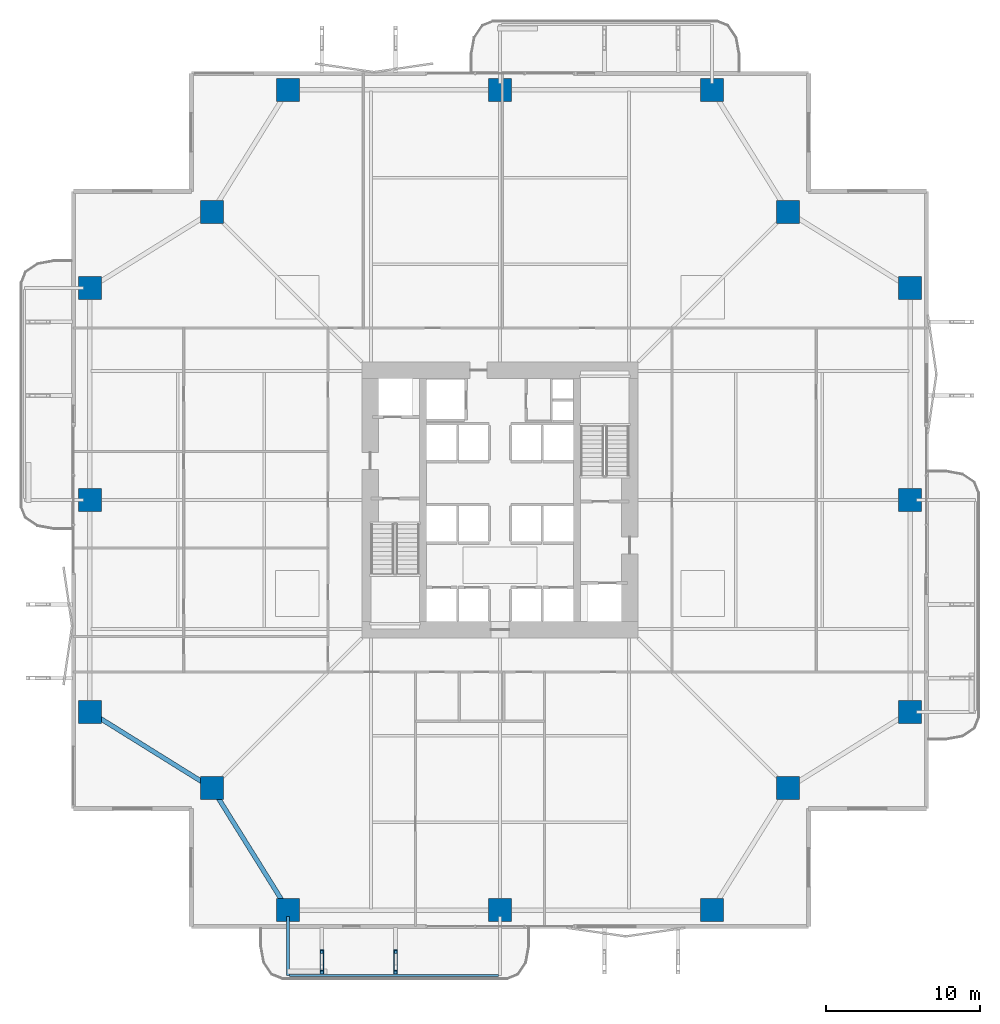
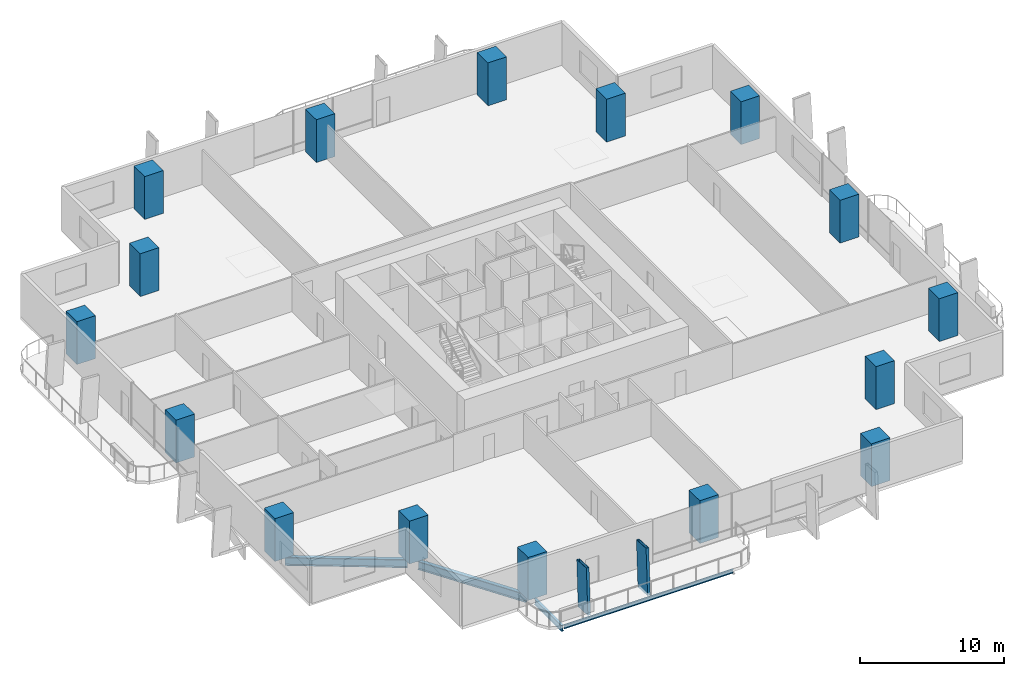
# One storey, part 1 of 23: 16 columns, 4 beams, 2 members.
"""IFC4 building model written with IfcOpenShell, lengths in metres."""

from ifc_helpers import new_model, si_unit, direction, frame, origin, origin_2d, place, context, subcontext, project, spatial, rectangle, hollow_rectangle, i_section, extrude, material, material_profile, profile_set, type_object, element, save


model = new_model("IFC4")

# Units and contexts
model_context = context("Model", 3, precision=1e-05, world=origin(), true_north=direction((0.0, 1.0)))
body_context = subcontext(model_context, "Body", "Model", "MODEL_VIEW")
ifc_project = project(units=[si_unit("LENGTHUNIT", "METRE"), si_unit("AREAUNIT", "SQUARE_METRE"), si_unit("VOLUMEUNIT", "CUBIC_METRE"), si_unit("PLANEANGLEUNIT", "RADIAN"), si_unit("MASSUNIT", "GRAM", prefix="KILO")], contexts=[model_context])

# Site, building, storey
site_placement = place(None, origin())
site = spatial("IfcSite", under=ifc_project, at=site_placement, CompositionType="ELEMENT")
building_placement = place(site_placement, origin())
building = spatial("IfcBuilding", under=site, at=building_placement, Name="Belovzor Exchange Tower", CompositionType="ELEMENT")
storey_placement = place(building_placement, frame((0.0, 0.0, 53.39990234375)))
storey = spatial("IfcBuildingStorey", under=building, at=storey_placement, Name="L12", CompositionType="ELEMENT", Elevation=53.39990234375)

# Columns
ifc_material_1 = material(Name="Concrete C60/75", Category="concrete")
ifc_material_profile_1 = material_profile(ifc_material_1, rectangle(XDim=1.5, YDim=1.5, at=origin_2d()))
ifc_profile_set_1 = profile_set([ifc_material_profile_1], Name="Concrete C60/75")
column_type = type_object("IfcColumnType", Name="Reinforced Concrete Tower Column 1500x1500", PredefinedType="COLUMN", material=ifc_profile_set_1)
for number, where, z_axis, x_axis, name in (
    (1, (15.0, 2.10009765625, 0.003173828125), (0.0, 0.0, 1.0), (1.0, 0.0, 0.0), "COL-T150 Reinforced Concrete Tower Column 1500x1500"),
    (2, (28.800048828125, 2.10009765625, 0.003173828125), (0.0, 0.0, 1.0), (1.0, 0.0, 0.0), "COL-T150 Reinforced Concrete Tower Column 1500x1500"),
    (3, (42.60009765625, 2.10009765625, 0.003173828125), (0.0, 0.0, 1.0), (1.0, 0.0, 0.0), "COL-T150 Reinforced Concrete Tower Column 1500x1500"),
    (4, (55.5, 15.0, 0.003173828125), (0.0, 0.0, 1.0), (1.0, 0.0, 0.0), "COL-T150 Reinforced Concrete Tower Column 1500x1500"),
    (5, (55.5, 28.800048828125, 0.003173828125), (0.0, 0.0, 1.0), (1.0, 0.0, 0.0), "COL-T150 Reinforced Concrete Tower Column 1500x1500"),
    (6, (55.5, 42.60009765625, 0.003173828125), (0.0, 0.0, 1.0), (1.0, 0.0, 0.0), "COL-T150 Reinforced Concrete Tower Column 1500x1500"),
    (7, (42.60009765625, 55.5, 0.003173828125), (0.0, 0.0, 1.0), (1.0, 0.0, 0.0), "COL-T150 Reinforced Concrete Tower Column 1500x1500"),
    (8, (28.800048828125, 55.5, 0.003173828125), (0.0, 0.0, 1.0), (1.0, 0.0, 0.0), "COL-T150 Reinforced Concrete Tower Column 1500x1500"),
    (9, (15.0, 55.5, 0.003173828125), (0.0, 0.0, 1.0), (1.0, 0.0, 0.0), "COL-T150 Reinforced Concrete Tower Column 1500x1500"),
    (10, (2.10009765625, 42.60009765625, 0.003173828125), (0.0, 0.0, 1.0), (1.0, 0.0, 0.0), "COL-T150 Reinforced Concrete Tower Column 1500x1500"),
    (11, (2.10009765625, 28.800048828125, 0.003173828125), (0.0, 0.0, 1.0), (1.0, 0.0, 0.0), "COL-T150 Reinforced Concrete Tower Column 1500x1500"),
    (12, (2.10009765625, 15.0, 0.003173828125), (0.0, 0.0, 1.0), (1.0, 0.0, 0.0), "COL-T150 Reinforced Concrete Tower Column 1500x1500"),
    (13, (10.050048828125, 10.050048828125, 0.003173828125), (0.0, 0.0, 1.0), (1.0, 0.0, 0.0), "COL-T150 Reinforced Concrete Tower Column 1500x1500"),
    (14, (47.550048828125, 10.050048828125, 0.003173828125), (0.0, 0.0, 1.0), (1.0, 0.0, 0.0), "COL-T150 Reinforced Concrete Tower Column 1500x1500"),
    (15, (47.550048828125, 47.550048828125, 0.003173828125), (0.0, 0.0, 1.0), (1.0, 0.0, 0.0), "COL-T150 Reinforced Concrete Tower Column 1500x1500"),
    (16, (10.050048828125, 47.550048828125, 0.003173828125), (0.0, 0.0, 1.0), (1.0, 0.0, 0.0), "COL-T150 Reinforced Concrete Tower Column 1500x1500"),
):
    element("IfcColumn", number, at=place(storey_placement, frame(where, z_axis=z_axis, x_axis=x_axis)), inside=storey, type_object=column_type, Name=name, PredefinedType="COLUMN", context=body_context, shape_type="SweptSolid", body=[
        extrude(rectangle(XDim=1.5, YDim=1.5, at=origin_2d()), origin(), (0.0, 0.0, 1.0), 3.64404296875),
    ])

# Members
ifc_material_2 = material(Name="Extruded Architectural Terracotta on Steel S355 Carrier", Category="masonry")
ifc_material_profile_2 = material_profile(ifc_material_2, hollow_rectangle(XDim=0.219970703125, YDim=1.35009765625, WallThickness=0.013916015625, at=origin_2d()))
ifc_profile_set_2 = profile_set([ifc_material_profile_2], Name="Extruded Architectural Terracotta on Steel S355 Carrier")
member_type = type_object("IfcMemberType", Name="Base Arc Sweeping Terracotta Pylon Fin 1450", PredefinedType="USERDEFINED", material=ifc_profile_set_2)
for number, where, z_axis, x_axis, name in (
    (17, (17.199951171875, -1.37890625, -0.25), (0.0, 0.055251933744, 0.998472445197), (-1.0, 0.0, 0.0), "FIN-TC145 Terracotta Facade Fin L12 S1"),
    (18, (22.0, -1.37890625, -0.25), (0.0, 0.055251933744, 0.998472445197), (-1.0, 0.0, 0.0), "FIN-TC145 Terracotta Facade Fin L12 S2"),
):
    element("IfcMember", number, at=place(storey_placement, frame(where, z_axis=z_axis, x_axis=x_axis)), inside=storey, type_object=member_type, Name=name, ObjectType="FIN", PredefinedType="USERDEFINED", context=body_context, shape_type="SweptSolid", body=[
        extrude(hollow_rectangle(XDim=0.219970703125, YDim=1.35009765625, WallThickness=0.013916015625, at=origin_2d()), origin(), (0.0, 0.0, 1.0), 3.906005859375),
    ])

# Beams
ifc_material_3 = material(Name="Steel S355", Category="steel")
ifc_material_profile_3 = material_profile(ifc_material_3, i_section(OverallWidth=0.199951171875, OverallDepth=0.5, WebThickness=0.01025390625, FlangeThickness=0.01611328125, at=origin_2d()))
ifc_profile_set_3 = profile_set([ifc_material_profile_3], Name="Steel S355")
beam_type_1 = type_object("IfcBeamType", Name="Planted Balcony Cantilever Beam IPE 500", PredefinedType="BEAM", material=ifc_profile_set_3)
beam_1_placement = place(storey_placement, frame((15.0, 1.68798828125, -0.5), z_axis=(0.0, -1.0, 0.0), x_axis=(1.0, 0.0, 0.0)))
element("IfcBeam", 19, at=beam_1_placement, inside=storey, type_object=beam_type_1, Name="BC-500 Planted Balcony Cantilever Beam IPE 500", PredefinedType="BEAM", context=body_context, shape_type="SweptSolid", body=[
    extrude(i_section(OverallWidth=0.199951171875, OverallDepth=0.5, WebThickness=0.01025390625, FlangeThickness=0.01611328125, at=origin_2d()), origin(), (0.0, 0.0, 1.0), 3.85009765625),
])
ifc_material_4 = material(Name="Steel S355", Category="steel")
ifc_material_profile_4 = material_profile(ifc_material_4, i_section(OverallWidth=0.14990234375, OverallDepth=0.300048828125, WebThickness=0.007080078125, FlangeThickness=0.0107421875, at=origin_2d()))
ifc_profile_set_4 = profile_set([ifc_material_profile_4], Name="Steel S355")
beam_type_2 = type_object("IfcBeamType", Name="Planted Balcony Fascia Edge Beam IPE 300", PredefinedType="BEAM", material=ifc_profile_set_4)
beam_2_placement = place(storey_placement, frame((15.10009765625, -2.162109375, -0.39990234375), z_axis=(1.0, 0.0, 0.0), x_axis=(0.0, 1.0, 0.0)))
element("IfcBeam", 20, at=beam_2_placement, inside=storey, type_object=beam_type_2, Name="BC-300 Planted Balcony Fascia Edge Beam IPE 300", PredefinedType="BEAM", context=body_context, shape_type="SweptSolid", body=[
    extrude(i_section(OverallWidth=0.14990234375, OverallDepth=0.300048828125, WebThickness=0.007080078125, FlangeThickness=0.0107421875, at=origin_2d()), origin(), (0.0, 0.0, 1.0), 13.599853515625),
])
ifc_material_5 = material(Name="Steel S355", Category="steel")
ifc_material_profile_5 = material_profile(ifc_material_5, i_section(OverallWidth=0.300048828125, OverallDepth=0.699951171875, WebThickness=0.01708984375, FlangeThickness=0.031982421875, at=origin_2d()))
ifc_profile_set_5 = profile_set([ifc_material_profile_5], Name="Steel S355")
beam_type_3 = type_object("IfcBeamType", Name="Zone 1 Primary Perimeter Girder HEB 700", PredefinedType="BEAM", material=ifc_profile_set_5)
for number, where, z_axis, x_axis, name in (
    (21, (10.26806640625, 9.699951171875, -0.599853515625), (0.528538629686, -0.848909251292, 0.0), (0.848909251292, 0.528538629686, 0.0), "FG-Z1 Zone 1 Primary Perimeter Girder HEB 700"),
    (22, (2.449951171875, 14.781982421875, -0.599853515625), (0.848909251292, -0.528538629686, 0.0), (0.528538629686, 0.848909251292, 0.0), "FG-Z1 Zone 1 Primary Perimeter Girder HEB 700"),
):
    element("IfcBeam", number, at=place(storey_placement, frame(where, z_axis=z_axis, x_axis=x_axis)), inside=storey, type_object=beam_type_3, Name=name, PredefinedType="BEAM", context=body_context, shape_type="SweptSolid", body=[
        extrude(i_section(OverallWidth=0.300048828125, OverallDepth=0.699951171875, WebThickness=0.01708984375, FlangeThickness=0.031982421875, at=origin_2d()), origin(), (0.0, 0.0, 1.0), 8.540283203125),
    ])

save(model, "model.ifc")
